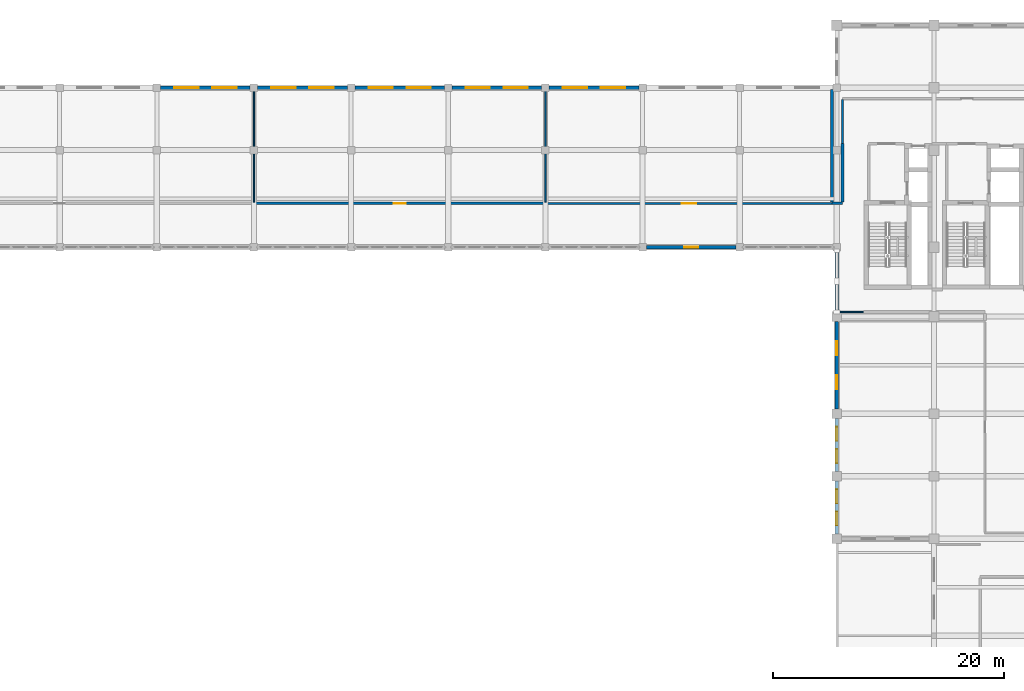
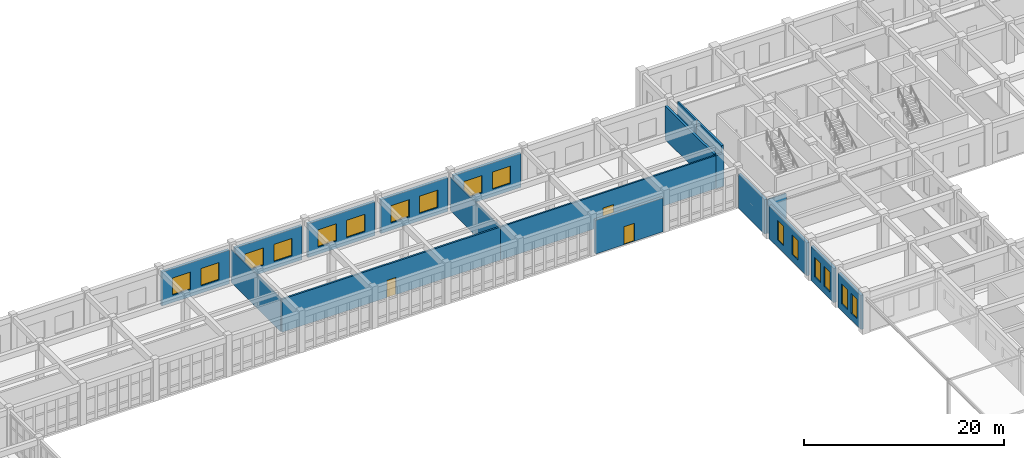
# One storey, part 63 of 80: 19 walls, 16 windows, 3 doors, 19 openings.
"""IFC4 building model written with IfcOpenShell, lengths in metres."""

from ifc_helpers import new_model, si_unit, direction, frame, frame_2d, origin, place, context, subcontext, project, spatial, rectangle, extrude, material, layer, layer_set, type_object, element, fill, save


model = new_model("IFC4")

# Units and contexts
model_context = context("Model", 3, precision=1e-05, world=origin(), true_north=direction((0.0, 1.0)))
body_context = subcontext(model_context, "Body", "Model", "MODEL_VIEW")
ifc_project = project(units=[si_unit("LENGTHUNIT", "METRE"), si_unit("AREAUNIT", "SQUARE_METRE"), si_unit("VOLUMEUNIT", "CUBIC_METRE"), si_unit("PLANEANGLEUNIT", "RADIAN"), si_unit("MASSUNIT", "GRAM", prefix="KILO")], contexts=[model_context])

# Site, building, storey
site_placement = place(None, origin())
site = spatial("IfcSite", under=ifc_project, at=site_placement, CompositionType="ELEMENT")
building_placement = place(site_placement, origin())
building = spatial("IfcBuilding", under=site, at=building_placement, Name="Krzemoval Escarpment Law Courts", CompositionType="ELEMENT")
storey_placement = place(building_placement, origin())
storey = spatial("IfcBuildingStorey", under=building, at=storey_placement, Name="L00", CompositionType="ELEMENT", Elevation=0.0)

# Wall, openings, windows
ifc_material_1 = material(Name="Precast concrete C40/50", Category="concrete")
ifc_layer_1 = layer(ifc_material_1, 0.300048828125)
ifc_layer_set_1 = layer_set([ifc_layer_1], Name="Precast concrete C40/50")
wall_type_1 = type_object("IfcWallType", Name="WL-EXT-300", PredefinedType="SOLIDWALL", material=ifc_layer_set_1)
wall_1_placement = place(storey_placement, frame((67.52490234375, 113.39990234375, 0.0), z_axis=(0.0, 0.0, 1.0), x_axis=(1.0, 0.0, 0.0)))
wall_1 = element("IfcWall", 1, at=wall_1_placement, inside=storey, type_object=wall_type_1, Name="Exterior Wall EW-L00-0082", PredefinedType="SOLIDWALL", context=body_context, shape_type="SweptSolid", body=[
    extrude(rectangle(XDim=7.75, YDim=0.300048828125, at=frame_2d((3.875, 0.0))), origin(), (0.0, 0.0, 1.0), 4.1201171875),
])
opening_1_placement = place(wall_1_placement, frame((1.18310546875, 0.0, 0.89990234375)))
opening_1 = element("IfcOpeningElement", 2, at=opening_1_placement, cuts=wall_1, Name="Opening WN-L00-0015", PredefinedType="OPENING", context=body_context, shape_type="SweptSolid", body=[
    extrude(rectangle(XDim=2.10009765625, YDim=2.10009765625, at=frame_2d((1.050048828125, 1.050048828125))), frame((0.0, 0.16502, 0.0), z_axis=(0.0, -1.0, 0.0), x_axis=(1.0, 0.0, 0.0)), (0.0, 0.0, 1.0), 0.33005),
])
opening_2_placement = place(wall_1_placement, frame((4.467041015625, 0.0, 0.89990234375)))
opening_2 = element("IfcOpeningElement", 3, at=opening_2_placement, cuts=wall_1, Name="Opening WN-L00-0016", PredefinedType="OPENING", context=body_context, shape_type="SweptSolid", body=[
    extrude(rectangle(XDim=2.10009765625, YDim=2.10009765625, at=frame_2d((1.050048828125, 1.050048828125))), frame((0.0, 0.16502, 0.0), z_axis=(0.0, -1.0, 0.0), x_axis=(1.0, 0.0, 0.0)), (0.0, 0.0, 1.0), 0.33005),
])
ifc_material_2 = material(Name="Thermally Broken Aluminium Frame with Triple Low-E Acoustic Glass", Category="aluminium")
window_type_1 = type_object("IfcWindowType", Name="WN-2100x2100", PartitioningType="SINGLE_PANEL", PredefinedType="WINDOW", material=ifc_material_2)
window_1_placement = place(opening_1_placement, origin())
window_1 = element("IfcWindow", 4, at=window_1_placement, inside=storey, type_object=window_type_1, Name="Facade Window WN-L00-0015", OverallHeight=2.10009765625, OverallWidth=2.10009765625, PartitioningType="SINGLE_PANEL", PredefinedType="WINDOW", context=body_context, shape_type="SweptSolid", body=[
    extrude(rectangle(XDim=2.10009765625, YDim=2.10009765625, at=frame_2d((1.050048828125, 1.050048828125))), frame((0.0, 0.030029296875, 0.0), z_axis=(0.0, -1.0, 0.0), x_axis=(1.0, 0.0, 0.0)), (0.0, 0.0, 1.0), 0.06005859375),
])
fill(opening_1, window_1)
window_2_placement = place(opening_2_placement, origin())
window_2 = element("IfcWindow", 5, at=window_2_placement, inside=storey, type_object=window_type_1, Name="Facade Window WN-L00-0016", OverallHeight=2.10009765625, OverallWidth=2.10009765625, PartitioningType="SINGLE_PANEL", PredefinedType="WINDOW", context=body_context, shape_type="SweptSolid", body=[
    extrude(rectangle(XDim=2.10009765625, YDim=2.10009765625, at=frame_2d((1.050048828125, 1.050048828125))), frame((0.0, 0.030029296875, 0.0), z_axis=(0.0, -1.0, 0.0), x_axis=(1.0, 0.0, 0.0)), (0.0, 0.0, 1.0), 0.06005859375),
])
fill(opening_2, window_2)

wall_2_placement = place(storey_placement, frame((75.925048828125, 113.39990234375, 0.0), z_axis=(0.0, 0.0, 1.0), x_axis=(1.0, 0.0, 0.0)))
wall_2 = element("IfcWall", 6, at=wall_2_placement, inside=storey, type_object=wall_type_1, Name="Exterior Wall EW-L00-0083", PredefinedType="SOLIDWALL", context=body_context, shape_type="SweptSolid", body=[
    extrude(rectangle(XDim=7.75, YDim=0.300048828125, at=frame_2d((3.875, 0.0))), origin(), (0.0, 0.0, 1.0), 4.1201171875),
])
opening_3_placement = place(wall_2_placement, frame((1.18310546875, 0.0, 0.89990234375)))
opening_3 = element("IfcOpeningElement", 7, at=opening_3_placement, cuts=wall_2, Name="Opening WN-L00-0017", PredefinedType="OPENING", context=body_context, shape_type="SweptSolid", body=[
    extrude(rectangle(XDim=2.10009765625, YDim=2.10009765625, at=frame_2d((1.050048828125, 1.050048828125))), frame((0.0, 0.16502, 0.0), z_axis=(0.0, -1.0, 0.0), x_axis=(1.0, 0.0, 0.0)), (0.0, 0.0, 1.0), 0.33005),
])
opening_4_placement = place(wall_2_placement, frame((4.467041015625, 0.0, 0.89990234375)))
opening_4 = element("IfcOpeningElement", 8, at=opening_4_placement, cuts=wall_2, Name="Opening WN-L00-0018", PredefinedType="OPENING", context=body_context, shape_type="SweptSolid", body=[
    extrude(rectangle(XDim=2.10009765625, YDim=2.10009765625, at=frame_2d((1.050048828125, 1.050048828125))), frame((0.0, 0.16502, 0.0), z_axis=(0.0, -1.0, 0.0), x_axis=(1.0, 0.0, 0.0)), (0.0, 0.0, 1.0), 0.33005),
])
window_3_placement = place(opening_3_placement, origin())
window_3 = element("IfcWindow", 9, at=window_3_placement, inside=storey, type_object=window_type_1, Name="Facade Window WN-L00-0017", OverallHeight=2.10009765625, OverallWidth=2.10009765625, PartitioningType="SINGLE_PANEL", PredefinedType="WINDOW", context=body_context, shape_type="SweptSolid", body=[
    extrude(rectangle(XDim=2.10009765625, YDim=2.10009765625, at=frame_2d((1.050048828125, 1.050048828125))), frame((0.0, 0.030029296875, 0.0), z_axis=(0.0, -1.0, 0.0), x_axis=(1.0, 0.0, 0.0)), (0.0, 0.0, 1.0), 0.06005859375),
])
fill(opening_3, window_3)
window_4_placement = place(opening_4_placement, origin())
window_4 = element("IfcWindow", 10, at=window_4_placement, inside=storey, type_object=window_type_1, Name="Facade Window WN-L00-0018", OverallHeight=2.10009765625, OverallWidth=2.10009765625, PartitioningType="SINGLE_PANEL", PredefinedType="WINDOW", context=body_context, shape_type="SweptSolid", body=[
    extrude(rectangle(XDim=2.10009765625, YDim=2.10009765625, at=frame_2d((1.050048828125, 1.050048828125))), frame((0.0, 0.030029296875, 0.0), z_axis=(0.0, -1.0, 0.0), x_axis=(1.0, 0.0, 0.0)), (0.0, 0.0, 1.0), 0.06005859375),
])
fill(opening_4, window_4)

wall_3_placement = place(storey_placement, frame((84.324951171875, 113.39990234375, 0.0), z_axis=(0.0, 0.0, 1.0), x_axis=(1.0, 0.0, 0.0)))
wall_3 = element("IfcWall", 11, at=wall_3_placement, inside=storey, type_object=wall_type_1, Name="Exterior Wall EW-L00-0084", PredefinedType="SOLIDWALL", context=body_context, shape_type="SweptSolid", body=[
    extrude(rectangle(XDim=7.75, YDim=0.300048828125, at=frame_2d((3.875, 0.0))), origin(), (0.0, 0.0, 1.0), 4.1201171875),
])
opening_5_placement = place(wall_3_placement, frame((1.18310546875, 0.0, 0.89990234375)))
opening_5 = element("IfcOpeningElement", 12, at=opening_5_placement, cuts=wall_3, Name="Opening WN-L00-0019", PredefinedType="OPENING", context=body_context, shape_type="SweptSolid", body=[
    extrude(rectangle(XDim=2.10009765625, YDim=2.10009765625, at=frame_2d((1.050048828125, 1.050048828125))), frame((0.0, 0.16502, 0.0), z_axis=(0.0, -1.0, 0.0), x_axis=(1.0, 0.0, 0.0)), (0.0, 0.0, 1.0), 0.33005),
])
opening_6_placement = place(wall_3_placement, frame((4.467041015625, 0.0, 0.89990234375)))
opening_6 = element("IfcOpeningElement", 13, at=opening_6_placement, cuts=wall_3, Name="Opening WN-L00-0020", PredefinedType="OPENING", context=body_context, shape_type="SweptSolid", body=[
    extrude(rectangle(XDim=2.10009765625, YDim=2.10009765625, at=frame_2d((1.050048828125, 1.050048828125))), frame((0.0, 0.16502, 0.0), z_axis=(0.0, -1.0, 0.0), x_axis=(1.0, 0.0, 0.0)), (0.0, 0.0, 1.0), 0.33005),
])
window_5_placement = place(opening_5_placement, origin())
window_5 = element("IfcWindow", 14, at=window_5_placement, inside=storey, type_object=window_type_1, Name="Facade Window WN-L00-0019", OverallHeight=2.10009765625, OverallWidth=2.10009765625, PartitioningType="SINGLE_PANEL", PredefinedType="WINDOW", context=body_context, shape_type="SweptSolid", body=[
    extrude(rectangle(XDim=2.10009765625, YDim=2.10009765625, at=frame_2d((1.050048828125, 1.050048828125))), frame((0.0, 0.030029296875, 0.0), z_axis=(0.0, -1.0, 0.0), x_axis=(1.0, 0.0, 0.0)), (0.0, 0.0, 1.0), 0.06005859375),
])
fill(opening_5, window_5)
window_6_placement = place(opening_6_placement, origin())
window_6 = element("IfcWindow", 15, at=window_6_placement, inside=storey, type_object=window_type_1, Name="Facade Window WN-L00-0020", OverallHeight=2.10009765625, OverallWidth=2.10009765625, PartitioningType="SINGLE_PANEL", PredefinedType="WINDOW", context=body_context, shape_type="SweptSolid", body=[
    extrude(rectangle(XDim=2.10009765625, YDim=2.10009765625, at=frame_2d((1.050048828125, 1.050048828125))), frame((0.0, 0.030029296875, 0.0), z_axis=(0.0, -1.0, 0.0), x_axis=(1.0, 0.0, 0.0)), (0.0, 0.0, 1.0), 0.06005859375),
])
fill(opening_6, window_6)

wall_4_placement = place(storey_placement, frame((92.72509765625, 113.39990234375, 0.0), z_axis=(0.0, 0.0, 1.0), x_axis=(1.0, 0.0, 0.0)))
wall_4 = element("IfcWall", 16, at=wall_4_placement, inside=storey, type_object=wall_type_1, Name="Exterior Wall EW-L00-0085", PredefinedType="SOLIDWALL", context=body_context, shape_type="SweptSolid", body=[
    extrude(rectangle(XDim=7.75, YDim=0.300048828125, at=frame_2d((3.875, 0.0))), origin(), (0.0, 0.0, 1.0), 4.1201171875),
])
opening_7_placement = place(wall_4_placement, frame((1.18310546875, 0.0, 0.89990234375)))
opening_7 = element("IfcOpeningElement", 17, at=opening_7_placement, cuts=wall_4, Name="Opening WN-L00-0021", PredefinedType="OPENING", context=body_context, shape_type="SweptSolid", body=[
    extrude(rectangle(XDim=2.10009765625, YDim=2.10009765625, at=frame_2d((1.050048828125, 1.050048828125))), frame((0.0, 0.16502, 0.0), z_axis=(0.0, -1.0, 0.0), x_axis=(1.0, 0.0, 0.0)), (0.0, 0.0, 1.0), 0.33005),
])
opening_8_placement = place(wall_4_placement, frame((4.467041015625, 0.0, 0.89990234375)))
opening_8 = element("IfcOpeningElement", 18, at=opening_8_placement, cuts=wall_4, Name="Opening WN-L00-0022", PredefinedType="OPENING", context=body_context, shape_type="SweptSolid", body=[
    extrude(rectangle(XDim=2.10009765625, YDim=2.10009765625, at=frame_2d((1.050048828125, 1.050048828125))), frame((0.0, 0.16502, 0.0), z_axis=(0.0, -1.0, 0.0), x_axis=(1.0, 0.0, 0.0)), (0.0, 0.0, 1.0), 0.33005),
])
window_7_placement = place(opening_7_placement, origin())
window_7 = element("IfcWindow", 19, at=window_7_placement, inside=storey, type_object=window_type_1, Name="Facade Window WN-L00-0021", OverallHeight=2.10009765625, OverallWidth=2.10009765625, PartitioningType="SINGLE_PANEL", PredefinedType="WINDOW", context=body_context, shape_type="SweptSolid", body=[
    extrude(rectangle(XDim=2.10009765625, YDim=2.10009765625, at=frame_2d((1.050048828125, 1.050048828125))), frame((0.0, 0.030029296875, 0.0), z_axis=(0.0, -1.0, 0.0), x_axis=(1.0, 0.0, 0.0)), (0.0, 0.0, 1.0), 0.06005859375),
])
fill(opening_7, window_7)
window_8_placement = place(opening_8_placement, origin())
window_8 = element("IfcWindow", 20, at=window_8_placement, inside=storey, type_object=window_type_1, Name="Facade Window WN-L00-0022", OverallHeight=2.10009765625, OverallWidth=2.10009765625, PartitioningType="SINGLE_PANEL", PredefinedType="WINDOW", context=body_context, shape_type="SweptSolid", body=[
    extrude(rectangle(XDim=2.10009765625, YDim=2.10009765625, at=frame_2d((1.050048828125, 1.050048828125))), frame((0.0, 0.030029296875, 0.0), z_axis=(0.0, -1.0, 0.0), x_axis=(1.0, 0.0, 0.0)), (0.0, 0.0, 1.0), 0.06005859375),
])
fill(opening_8, window_8)

wall_5_placement = place(storey_placement, frame((101.125, 113.39990234375, 0.0), z_axis=(0.0, 0.0, 1.0), x_axis=(1.0, 0.0, 0.0)))
wall_5 = element("IfcWall", 21, at=wall_5_placement, inside=storey, type_object=wall_type_1, Name="Exterior Wall EW-L00-0086", PredefinedType="SOLIDWALL", context=body_context, shape_type="SweptSolid", body=[
    extrude(rectangle(XDim=7.75, YDim=0.300048828125, at=frame_2d((3.875, 0.0))), origin(), (0.0, 0.0, 1.0), 4.1201171875),
])
opening_9_placement = place(wall_5_placement, frame((1.18310546875, 0.0, 0.89990234375)))
opening_9 = element("IfcOpeningElement", 22, at=opening_9_placement, cuts=wall_5, Name="Opening WN-L00-0023", PredefinedType="OPENING", context=body_context, shape_type="SweptSolid", body=[
    extrude(rectangle(XDim=2.10009765625, YDim=2.10009765625, at=frame_2d((1.050048828125, 1.050048828125))), frame((0.0, 0.16502, 0.0), z_axis=(0.0, -1.0, 0.0), x_axis=(1.0, 0.0, 0.0)), (0.0, 0.0, 1.0), 0.33005),
])
opening_10_placement = place(wall_5_placement, frame((4.467041015625, 0.0, 0.89990234375)))
opening_10 = element("IfcOpeningElement", 23, at=opening_10_placement, cuts=wall_5, Name="Opening WN-L00-0024", PredefinedType="OPENING", context=body_context, shape_type="SweptSolid", body=[
    extrude(rectangle(XDim=2.10009765625, YDim=2.10009765625, at=frame_2d((1.050048828125, 1.050048828125))), frame((0.0, 0.16502, 0.0), z_axis=(0.0, -1.0, 0.0), x_axis=(1.0, 0.0, 0.0)), (0.0, 0.0, 1.0), 0.33005),
])
window_9_placement = place(opening_9_placement, origin())
window_9 = element("IfcWindow", 24, at=window_9_placement, inside=storey, type_object=window_type_1, Name="Facade Window WN-L00-0023", OverallHeight=2.10009765625, OverallWidth=2.10009765625, PartitioningType="SINGLE_PANEL", PredefinedType="WINDOW", context=body_context, shape_type="SweptSolid", body=[
    extrude(rectangle(XDim=2.10009765625, YDim=2.10009765625, at=frame_2d((1.050048828125, 1.050048828125))), frame((0.0, 0.030029296875, 0.0), z_axis=(0.0, -1.0, 0.0), x_axis=(1.0, 0.0, 0.0)), (0.0, 0.0, 1.0), 0.06005859375),
])
fill(opening_9, window_9)
window_10_placement = place(opening_10_placement, origin())
window_10 = element("IfcWindow", 25, at=window_10_placement, inside=storey, type_object=window_type_1, Name="Facade Window WN-L00-0024", OverallHeight=2.10009765625, OverallWidth=2.10009765625, PartitioningType="SINGLE_PANEL", PredefinedType="WINDOW", context=body_context, shape_type="SweptSolid", body=[
    extrude(rectangle(XDim=2.10009765625, YDim=2.10009765625, at=frame_2d((1.050048828125, 1.050048828125))), frame((0.0, 0.030029296875, 0.0), z_axis=(0.0, -1.0, 0.0), x_axis=(1.0, 0.0, 0.0)), (0.0, 0.0, 1.0), 0.06005859375),
])
fill(opening_10, window_10)

wall_6_placement = place(storey_placement, frame((126.0, 74.824951171875, 0.0), z_axis=(0.0, 0.0, 1.0), x_axis=(0.0, 1.0, 0.0)))
wall_6 = element("IfcWall", 26, at=wall_6_placement, inside=storey, type_object=wall_type_1, Name="Exterior Wall EW-L00-0161", PredefinedType="SOLIDWALL", context=body_context, shape_type="SweptSolid", body=[
    extrude(rectangle(XDim=4.550048828125, YDim=0.300048828125, at=frame_2d((2.27490234375, 0.0))), origin(), (0.0, 0.0, 1.0), 4.169921875),
])
opening_11_placement = place(wall_6_placement, frame((0.717041015625, 0.0, 0.85009765625)))
opening_11 = element("IfcOpeningElement", 27, at=opening_11_placement, cuts=wall_6, Name="Opening WN-L00-0126", PredefinedType="OPENING", context=body_context, shape_type="SweptSolid", body=[
    extrude(rectangle(XDim=1.199951171875, YDim=2.39990234375, at=frame_2d((0.60009765625, 1.199951171875))), frame((0.0, 0.16502, 0.0), z_axis=(0.0, -1.0, 0.0), x_axis=(1.0, 0.0, 0.0)), (0.0, 0.0, 1.0), 0.33005),
])
opening_12_placement = place(wall_6_placement, frame((2.633056640625, 0.0, 0.85009765625)))
opening_12 = element("IfcOpeningElement", 28, at=opening_12_placement, cuts=wall_6, Name="Opening WN-L00-0127", PredefinedType="OPENING", context=body_context, shape_type="SweptSolid", body=[
    extrude(rectangle(XDim=1.199951171875, YDim=2.39990234375, at=frame_2d((0.60009765625, 1.199951171875))), frame((0.0, 0.16502, 0.0), z_axis=(0.0, -1.0, 0.0), x_axis=(1.0, 0.0, 0.0)), (0.0, 0.0, 1.0), 0.33005),
])
ifc_material_3 = material(Name="Thermally Broken Aluminium Frame with Triple Low-E Acoustic Glass", Category="aluminium")
window_type_2 = type_object("IfcWindowType", Name="WN-1200x2400", PartitioningType="SINGLE_PANEL", PredefinedType="WINDOW", material=ifc_material_3)
window_11_placement = place(opening_11_placement, origin())
window_11 = element("IfcWindow", 29, at=window_11_placement, inside=storey, type_object=window_type_2, Name="Facade Window WN-L00-0126", OverallHeight=2.39990234375, OverallWidth=1.199951171875, PartitioningType="SINGLE_PANEL", PredefinedType="WINDOW", context=body_context, shape_type="SweptSolid", body=[
    extrude(rectangle(XDim=1.199951171875, YDim=2.39990234375, at=frame_2d((0.60009765625, 1.199951171875))), frame((0.0, 0.030029296875, 0.0), z_axis=(0.0, -1.0, 0.0), x_axis=(1.0, 0.0, 0.0)), (0.0, 0.0, 1.0), 0.06005859375),
])
fill(opening_11, window_11)
window_12_placement = place(opening_12_placement, origin())
window_12 = element("IfcWindow", 30, at=window_12_placement, inside=storey, type_object=window_type_2, Name="Facade Window WN-L00-0127", OverallHeight=2.39990234375, OverallWidth=1.199951171875, PartitioningType="SINGLE_PANEL", PredefinedType="WINDOW", context=body_context, shape_type="SweptSolid", body=[
    extrude(rectangle(XDim=1.199951171875, YDim=2.39990234375, at=frame_2d((0.60009765625, 1.199951171875))), frame((0.0, 0.030029296875, 0.0), z_axis=(0.0, -1.0, 0.0), x_axis=(1.0, 0.0, 0.0)), (0.0, 0.0, 1.0), 0.06005859375),
])
fill(opening_12, window_12)

wall_7_placement = place(storey_placement, frame((126.0, 80.22509765625, 0.0), z_axis=(0.0, 0.0, 1.0), x_axis=(0.0, 1.0, 0.0)))
wall_7 = element("IfcWall", 31, at=wall_7_placement, inside=storey, type_object=wall_type_1, Name="Exterior Wall EW-L00-0162", PredefinedType="SOLIDWALL", context=body_context, shape_type="SweptSolid", body=[
    extrude(rectangle(XDim=4.5498046875, YDim=0.300048828125, at=frame_2d((2.27490234375, 0.0))), origin(), (0.0, 0.0, 1.0), 4.169921875),
])
opening_13_placement = place(wall_7_placement, frame((0.717041015625, 0.0, 0.85009765625)))
opening_13 = element("IfcOpeningElement", 32, at=opening_13_placement, cuts=wall_7, Name="Opening WN-L00-0128", PredefinedType="OPENING", context=body_context, shape_type="SweptSolid", body=[
    extrude(rectangle(XDim=1.199951171875, YDim=2.39990234375, at=frame_2d((0.60009765625, 1.199951171875))), frame((0.0, 0.16502, 0.0), z_axis=(0.0, -1.0, 0.0), x_axis=(1.0, 0.0, 0.0)), (0.0, 0.0, 1.0), 0.33005),
])
opening_14_placement = place(wall_7_placement, frame((2.633056640625, 0.0, 0.85009765625)))
opening_14 = element("IfcOpeningElement", 33, at=opening_14_placement, cuts=wall_7, Name="Opening WN-L00-0129", PredefinedType="OPENING", context=body_context, shape_type="SweptSolid", body=[
    extrude(rectangle(XDim=1.199951171875, YDim=2.39990234375, at=frame_2d((0.60009765625, 1.199951171875))), frame((0.0, 0.16502, 0.0), z_axis=(0.0, -1.0, 0.0), x_axis=(1.0, 0.0, 0.0)), (0.0, 0.0, 1.0), 0.33005),
])
window_13_placement = place(opening_13_placement, origin())
window_13 = element("IfcWindow", 34, at=window_13_placement, inside=storey, type_object=window_type_2, Name="Facade Window WN-L00-0128", OverallHeight=2.39990234375, OverallWidth=1.199951171875, PartitioningType="SINGLE_PANEL", PredefinedType="WINDOW", context=body_context, shape_type="SweptSolid", body=[
    extrude(rectangle(XDim=1.199951171875, YDim=2.39990234375, at=frame_2d((0.60009765625, 1.199951171875))), frame((0.0, 0.030029296875, 0.0), z_axis=(0.0, -1.0, 0.0), x_axis=(1.0, 0.0, 0.0)), (0.0, 0.0, 1.0), 0.06005859375),
])
fill(opening_13, window_13)
window_14_placement = place(opening_14_placement, origin())
window_14 = element("IfcWindow", 35, at=window_14_placement, inside=storey, type_object=window_type_2, Name="Facade Window WN-L00-0129", OverallHeight=2.39990234375, OverallWidth=1.199951171875, PartitioningType="SINGLE_PANEL", PredefinedType="WINDOW", context=body_context, shape_type="SweptSolid", body=[
    extrude(rectangle(XDim=1.199951171875, YDim=2.39990234375, at=frame_2d((0.60009765625, 1.199951171875))), frame((0.0, 0.030029296875, 0.0), z_axis=(0.0, -1.0, 0.0), x_axis=(1.0, 0.0, 0.0)), (0.0, 0.0, 1.0), 0.06005859375),
])
fill(opening_14, window_14)

wall_8_placement = place(storey_placement, frame((126.0, 85.625, 0.0), z_axis=(0.0, 0.0, 1.0), x_axis=(0.0, 1.0, 0.0)))
wall_8 = element("IfcWall", 36, at=wall_8_placement, inside=storey, type_object=wall_type_1, Name="Exterior Wall EW-L00-0163", PredefinedType="SOLIDWALL", context=body_context, shape_type="SweptSolid", body=[
    extrude(rectangle(XDim=7.550048828125, YDim=0.300048828125, at=frame_2d((3.77490234375, 0.0))), origin(), (0.0, 0.0, 1.0), 4.02001953125),
])
opening_15_placement = place(wall_8_placement, frame((1.717041015625, 0.0, 0.85009765625)))
opening_15 = element("IfcOpeningElement", 37, at=opening_15_placement, cuts=wall_8, Name="Opening WN-L00-0130", PredefinedType="OPENING", context=body_context, shape_type="SweptSolid", body=[
    extrude(rectangle(XDim=1.199951171875, YDim=2.39990234375, at=frame_2d((0.60009765625, 1.199951171875))), frame((0.0, 0.16502, 0.0), z_axis=(0.0, -1.0, 0.0), x_axis=(1.0, 0.0, 0.0)), (0.0, 0.0, 1.0), 0.33005),
])
opening_16_placement = place(wall_8_placement, frame((4.633056640625, 0.0, 0.85009765625)))
opening_16 = element("IfcOpeningElement", 38, at=opening_16_placement, cuts=wall_8, Name="Opening WN-L00-0131", PredefinedType="OPENING", context=body_context, shape_type="SweptSolid", body=[
    extrude(rectangle(XDim=1.199951171875, YDim=2.39990234375, at=frame_2d((0.60009765625, 1.199951171875))), frame((0.0, 0.16502, 0.0), z_axis=(0.0, -1.0, 0.0), x_axis=(1.0, 0.0, 0.0)), (0.0, 0.0, 1.0), 0.33005),
])
window_15_placement = place(opening_15_placement, origin())
window_15 = element("IfcWindow", 39, at=window_15_placement, inside=storey, type_object=window_type_2, Name="Facade Window WN-L00-0130", OverallHeight=2.39990234375, OverallWidth=1.199951171875, PartitioningType="SINGLE_PANEL", PredefinedType="WINDOW", context=body_context, shape_type="SweptSolid", body=[
    extrude(rectangle(XDim=1.199951171875, YDim=2.39990234375, at=frame_2d((0.60009765625, 1.199951171875))), frame((0.0, 0.030029296875, 0.0), z_axis=(0.0, -1.0, 0.0), x_axis=(1.0, 0.0, 0.0)), (0.0, 0.0, 1.0), 0.06005859375),
])
fill(opening_15, window_15)
window_16_placement = place(opening_16_placement, origin())
window_16 = element("IfcWindow", 40, at=window_16_placement, inside=storey, type_object=window_type_2, Name="Facade Window WN-L00-0131", OverallHeight=2.39990234375, OverallWidth=1.199951171875, PartitioningType="SINGLE_PANEL", PredefinedType="WINDOW", context=body_context, shape_type="SweptSolid", body=[
    extrude(rectangle(XDim=1.199951171875, YDim=2.39990234375, at=frame_2d((0.60009765625, 1.199951171875))), frame((0.0, 0.030029296875, 0.0), z_axis=(0.0, -1.0, 0.0), x_axis=(1.0, 0.0, 0.0)), (0.0, 0.0, 1.0), 0.06005859375),
])
fill(opening_16, window_16)

# Wall
wall_9_placement = place(storey_placement, frame((126.0, 94.02490234375, 0.0), z_axis=(0.0, 0.0, 1.0), x_axis=(0.0, 1.0, 0.0)))
element("IfcWall", 41, at=wall_9_placement, inside=storey, type_object=wall_type_1, Name="Exterior Wall EW-L00-0164", PredefinedType="SOLIDWALL", context=body_context, shape_type="SweptSolid", body=[
    extrude(rectangle(XDim=5.25, YDim=0.300048828125, at=frame_2d((2.625, 0.0))), origin(), (0.0, 0.0, 1.0), 4.169921875),
])

# Wall, opening, door
wall_10_placement = place(storey_placement, frame((117.27490234375, 99.60009765625, 0.0), z_axis=(0.0, 0.0, 1.0), x_axis=(-1.0, 0.0, 0.0)))
wall_10 = element("IfcWall", 42, at=wall_10_placement, inside=storey, type_object=wall_type_1, Name="Exterior Wall EW-L00-0165", PredefinedType="SOLIDWALL", context=body_context, shape_type="SweptSolid", body=[
    extrude(rectangle(XDim=7.75, YDim=0.300048828125, at=frame_2d((3.875, 0.0))), origin(), (0.0, 0.0, 1.0), 4.1201171875),
])
opening_17_placement = place(wall_10_placement, frame((3.27490234375, 0.0, 0.0)))
opening_17 = element("IfcOpeningElement", 43, at=opening_17_placement, cuts=wall_10, Name="Opening E03A", PredefinedType="OPENING", context=body_context, shape_type="SweptSolid", body=[
    extrude(rectangle(XDim=1.199951171875, YDim=2.199951171875, at=frame_2d((0.60009765625, 1.10009765625))), frame((0.0, 0.16502, 0.0), z_axis=(0.0, -1.0, 0.0), x_axis=(1.0, 0.0, 0.0)), (0.0, 0.0, 1.0), 0.33005),
])
ifc_material_4 = material(Name="Galvanised Steel S355", Category="steel")
door_type_1 = type_object("IfcDoorType", Name="DR-EXT-1200x2200", OperationType="SINGLE_SWING_LEFT", PredefinedType="DOOR", material=ifc_material_4)
door_1_placement = place(opening_17_placement, origin())
door_1 = element("IfcDoor", 44, at=door_1_placement, inside=storey, type_object=door_type_1, Name="Final Exit Discharge Door E03A (Stair ST3 Cloister Court)", OperationType="SINGLE_SWING_LEFT", OverallHeight=2.199951171875, OverallWidth=1.199951171875, PredefinedType="DOOR", context=body_context, shape_type="SweptSolid", body=[
    extrude(rectangle(XDim=1.199951171875, YDim=2.199951171875, at=frame_2d((0.60009765625, 1.10009765625))), frame((0.0, 0.02490234375, 0.0), z_axis=(0.0, -1.0, 0.0), x_axis=(1.0, 0.0, 0.0)), (0.0, 0.0, 1.0), 0.050048828125),
])
fill(opening_17, door_1)

# Walls
ifc_material_5 = material(Name="Light Internal Subdivision Partition", Category="gypsum")
ifc_layer_2 = layer(ifc_material_5, 0.114990234375)
ifc_layer_set_2 = layer_set([ifc_layer_2], Name="Light Internal Subdivision Partition")
wall_type_2 = type_object("IfcWallType", Name="WL-PRT-115", PredefinedType="PARTITIONING", material=ifc_layer_set_2)
wall_11_placement = place(storey_placement, frame((126.14404296875, 94.0, 0.0), z_axis=(0.0, 0.0, 1.0), x_axis=(1.0, 0.0, 0.0)))
element("IfcWall", 45, at=wall_11_placement, inside=storey, type_object=wall_type_2, Name="Interior Partition PW-L00-0136", PredefinedType="PARTITIONING", context=body_context, shape_type="SweptSolid", body=[
    extrude(rectangle(XDim=2.156005859375, YDim=0.114990234375, at=frame_2d((1.078125, 0.0))), origin(), (0.0, 0.0, 1.0), 4.169921875),
])
wall_12_placement = place(storey_placement, frame((75.60009765625, 103.511962890625, 0.0), z_axis=(0.0, 0.0, 1.0), x_axis=(0.0, 1.0, 0.0)))
element("IfcWall", 46, at=wall_12_placement, inside=storey, type_object=wall_type_2, Name="Interior Partition PW-L00-0182", PredefinedType="PARTITIONING", context=body_context, shape_type="SweptSolid", body=[
    extrude(rectangle(XDim=9.839111328125, YDim=0.114990234375, at=frame_2d((4.91943359375, 0.0))), origin(), (0.0, 0.0, 1.0), 4.02001953125),
])
ifc_material_6 = material(Name="Sanitary Moisture-Resistant Partition", Category="gypsum")
ifc_layer_3 = layer(ifc_material_6, 0.139892578125)
ifc_layer_set_3 = layer_set([ifc_layer_3], Name="Sanitary Moisture-Resistant Partition")
wall_type_3 = type_object("IfcWallType", Name="WL-PRT-140", PredefinedType="PARTITIONING", material=ifc_layer_set_3)
wall_13_placement = place(storey_placement, frame((100.800048828125, 103.501953125, 0.0), z_axis=(0.0, 0.0, 1.0), x_axis=(0.0, 1.0, 0.0)))
element("IfcWall", 47, at=wall_13_placement, inside=storey, type_object=wall_type_3, Name="Interior Partition PW-L00-0190", PredefinedType="PARTITIONING", context=body_context, shape_type="SweptSolid", body=[
    extrude(rectangle(XDim=9.84912109375, YDim=0.139892578125, at=frame_2d((4.924560546875, 0.0))), origin(), (0.0, 0.0, 1.0), 4.02001953125),
])

# Wall, opening, door
ifc_material_7 = material(Name="Judicial Chambers Acoustic Partition", Category="gypsum")
ifc_layer_4 = layer(ifc_material_7, 0.179931640625)
ifc_layer_set_4 = layer_set([ifc_layer_4], Name="Judicial Chambers Acoustic Partition")
wall_type_4 = type_object("IfcWallType", Name="WL-PRT-180", PredefinedType="PARTITIONING", material=ifc_layer_set_4)
wall_14_placement = place(storey_placement, frame((100.800048828125, 103.39990234375, 0.0), z_axis=(0.0, 0.0, 1.0), x_axis=(1.0, 0.0, 0.0)))
wall_14 = element("IfcWall", 48, at=wall_14_placement, inside=storey, type_object=wall_type_4, Name="Interior Partition PW-L00-0145", PredefinedType="PARTITIONING", context=body_context, shape_type="SweptSolid", body=[
    extrude(rectangle(XDim=24.800048828125, YDim=0.179931640625, at=frame_2d((12.39990234375, 0.0))), origin(), (0.0, 0.0, 1.0), 4.02001953125),
])
opening_18_placement = place(wall_14_placement, frame((11.77490234375, 0.0, 0.0)))
opening_18 = element("IfcOpeningElement", 49, at=opening_18_placement, cuts=wall_14, Name="Opening D-L00-0069", PredefinedType="OPENING", context=body_context, shape_type="SweptSolid", body=[
    extrude(rectangle(XDim=1.25, YDim=2.199951171875, at=frame_2d((0.625, 1.10009765625))), frame((0.0, 0.10497, 0.0), z_axis=(0.0, -1.0, 0.0), x_axis=(1.0, 0.0, 0.0)), (0.0, 0.0, 1.0), 0.20993),
])
ifc_material_8 = material(Name="Engineered Solid-Core Oak Acoustic Timber", Category="wood")
door_type_2 = type_object("IfcDoorType", Name="DR-INT-1250x2200", OperationType="SINGLE_SWING_LEFT", PredefinedType="DOOR", material=ifc_material_8)
door_2_placement = place(opening_18_placement, origin())
door_2 = element("IfcDoor", 50, at=door_2_placement, inside=storey, type_object=door_type_2, Name="Room Door D-L00-0069", OperationType="SINGLE_SWING_RIGHT", OverallHeight=2.199951171875, OverallWidth=1.25, PredefinedType="DOOR", context=body_context, shape_type="SweptSolid", body=[
    extrude(rectangle(XDim=1.25, YDim=2.199951171875, at=frame_2d((0.625, 1.10009765625))), frame((0.0, 0.02490234375, 0.0), z_axis=(0.0, -1.0, 0.0), x_axis=(1.0, 0.0, 0.0)), (0.0, 0.0, 1.0), 0.050048828125),
])
fill(opening_18, door_2)

# Wall
wall_15_placement = place(storey_placement, frame((126.5, 108.550048828125, 0.0), z_axis=(0.0, 0.0, 1.0), x_axis=(0.0, 1.0, 0.0)))
element("IfcWall", 51, at=wall_15_placement, inside=storey, type_object=wall_type_4, Name="Interior Partition PW-L00-0206", PredefinedType="PARTITIONING", context=body_context, shape_type="SweptSolid", body=[
    extrude(rectangle(XDim=3.81787109375, YDim=0.179931640625, at=frame_2d((1.908935546875, 0.0))), origin(), (0.0, 0.0, 1.0), 4.820068359375),
])

# Wall, opening, door
ifc_material_9 = material(Name="Fire-Rated Corridor Partition Wall", Category="gypsum")
ifc_layer_5 = layer(ifc_material_9, 0.199951171875)
ifc_layer_set_5 = layer_set([ifc_layer_5], Name="Fire-Rated Corridor Partition Wall")
wall_type_5 = type_object("IfcWallType", Name="WL-PRT-200", PredefinedType="PARTITIONING", material=ifc_layer_set_5)
wall_16_placement = place(storey_placement, frame((75.60009765625, 103.39990234375, 0.0), z_axis=(0.0, 0.0, 1.0), x_axis=(1.0, 0.0, 0.0)))
wall_16 = element("IfcWall", 52, at=wall_16_placement, inside=storey, type_object=wall_type_5, Name="Interior Partition PW-L00-0144", PredefinedType="PARTITIONING", context=body_context, shape_type="SweptSolid", body=[
    extrude(rectangle(XDim=25.199951171875, YDim=0.199951171875, at=frame_2d((12.60009765625, 0.0))), origin(), (0.0, 0.0, 1.0), 4.02001953125),
])
opening_19_placement = place(wall_16_placement, frame((12.074951171875, 0.0, 0.0)))
opening_19 = element("IfcOpeningElement", 53, at=opening_19_placement, cuts=wall_16, Name="Opening D-L00-0068", PredefinedType="OPENING", context=body_context, shape_type="SweptSolid", body=[
    extrude(rectangle(XDim=1.050048828125, YDim=2.10009765625, at=frame_2d((0.52490234375, 1.050048828125))), frame((0.0, 0.11498, 0.0), z_axis=(0.0, -1.0, 0.0), x_axis=(1.0, 0.0, 0.0)), (0.0, 0.0, 1.0), 0.22995),
])
ifc_material_10 = material(Name="Engineered Solid-Core Oak Acoustic Timber", Category="wood")
door_type_3 = type_object("IfcDoorType", Name="DR-INT-1050x2100", OperationType="SINGLE_SWING_LEFT", PredefinedType="DOOR", material=ifc_material_10)
door_3_placement = place(opening_19_placement, origin())
door_3 = element("IfcDoor", 54, at=door_3_placement, inside=storey, type_object=door_type_3, Name="Room Door D-L00-0068", OperationType="SINGLE_SWING_LEFT", OverallHeight=2.10009765625, OverallWidth=1.050048828125, PredefinedType="DOOR", context=body_context, shape_type="SweptSolid", body=[
    extrude(rectangle(XDim=1.050048828125, YDim=2.10009765625, at=frame_2d((0.52490234375, 1.050048828125))), frame((0.0, 0.02490234375, 0.0), z_axis=(0.0, -1.0, 0.0), x_axis=(1.0, 0.0, 0.0)), (0.0, 0.0, 1.0), 0.050048828125),
])
fill(opening_19, door_3)

# Walls
ifc_material_11 = material(Name="Acoustic Courtroom Partition Assembly", Category="gypsum")
ifc_layer_6 = layer(ifc_material_11, 0.239990234375)
ifc_layer_set_6 = layer_set([ifc_layer_6], Name="Acoustic Courtroom Partition Assembly")
wall_type_6 = type_object("IfcWallType", Name="WL-PRT-240", PredefinedType="PARTITIONING", material=ifc_layer_set_6)
wall_17_placement = place(storey_placement, frame((125.60009765625, 103.39990234375, 0.0), z_axis=(0.0, 0.0, 1.0), x_axis=(1.0, 0.0, 0.0)))
element("IfcWall", 55, at=wall_17_placement, inside=storey, type_object=wall_type_6, Name="Interior Partition PW-L00-0142", PredefinedType="PARTITIONING", context=body_context, shape_type="SweptSolid", body=[
    extrude(rectangle(XDim=0.89990234375, YDim=0.239990234375, at=frame_2d((0.449951171875, 0.0))), origin(), (0.0, 0.0, 1.0), 4.02001953125),
])
wall_18_placement = place(storey_placement, frame((126.5, 103.52197265625, 0.0), z_axis=(0.0, 0.0, 1.0), x_axis=(0.0, 1.0, 0.0)))
element("IfcWall", 56, at=wall_18_placement, inside=storey, type_object=wall_type_6, Name="Interior Partition PW-L00-0205", PredefinedType="PARTITIONING", context=body_context, shape_type="SweptSolid", body=[
    extrude(rectangle(XDim=5.028076171875, YDim=0.239990234375, at=frame_2d((2.51416015625, 0.0))), origin(), (0.0, 0.0, 1.0), 4.820068359375),
])
ifc_material_12 = material(Name="Acoustic Double-Stud Gypsum and Mineral Wool Wall", Category="gypsum")
ifc_layer_7 = layer(ifc_material_12, 0.260009765625)
ifc_layer_set_7 = layer_set([ifc_layer_7], Name="Acoustic Double-Stud Gypsum and Mineral Wool Wall")
wall_type_7 = type_object("IfcWallType", Name="WL-PRT-260", PredefinedType="PARTITIONING", material=ifc_layer_set_7)
wall_19_placement = place(storey_placement, frame((125.60009765625, 103.52197265625, 0.0), z_axis=(0.0, 0.0, 1.0), x_axis=(0.0, 1.0, 0.0)))
element("IfcWall", 57, at=wall_19_placement, inside=storey, type_object=wall_type_7, Name="Interior Partition PW-L00-0204", PredefinedType="PARTITIONING", context=body_context, shape_type="SweptSolid", body=[
    extrude(rectangle(XDim=9.72607421875, YDim=0.260009765625, at=frame_2d((4.863037109375, 0.0))), origin(), (0.0, 0.0, 1.0), 4.1201171875),
])

save(model, "model.ifc")
